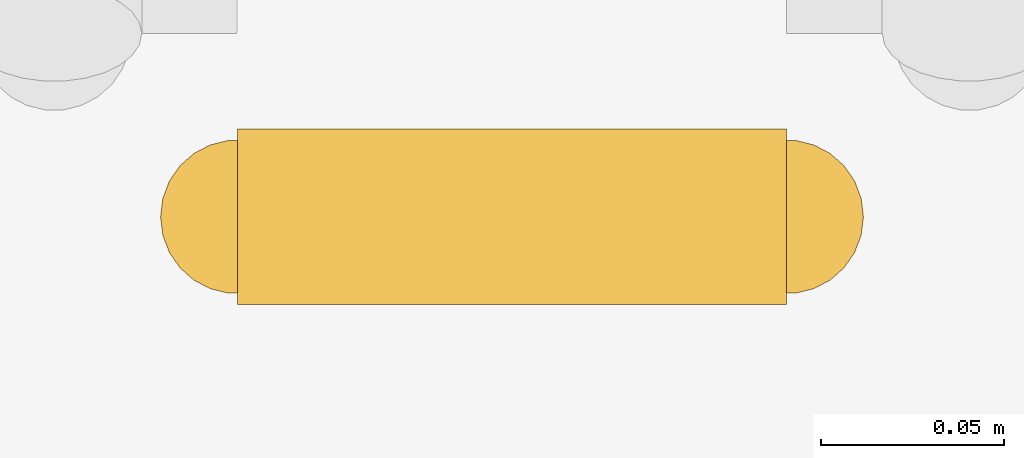
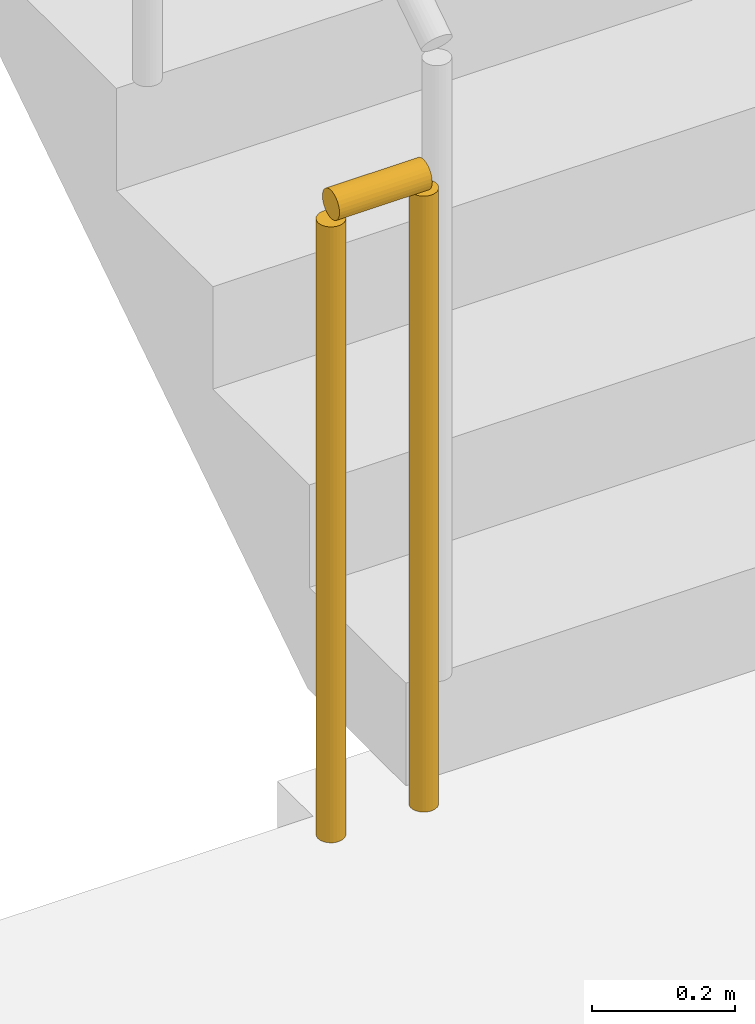
# One storey, part 15 of 20: 1 railing.
"""IFC4 building model written with IfcOpenShell, lengths in metres."""

from ifc_helpers import new_model, si_unit, direction, frame, origin, origin_2d, place, context, subcontext, project, spatial, circle, extrude, material, type_object, element, save


model = new_model("IFC4")

# Units and contexts
model_context = context("Model", 3, precision=1e-05, world=origin(), true_north=direction((0.0, 1.0)))
body_context = subcontext(model_context, "Body", "Model", "MODEL_VIEW")
ifc_project = project(units=[si_unit("LENGTHUNIT", "METRE"), si_unit("AREAUNIT", "SQUARE_METRE"), si_unit("VOLUMEUNIT", "CUBIC_METRE"), si_unit("PLANEANGLEUNIT", "RADIAN"), si_unit("MASSUNIT", "GRAM", prefix="KILO")], contexts=[model_context])

# Site, building, storey
site_placement = place(None, origin())
site = spatial("IfcSite", under=ifc_project, at=site_placement, CompositionType="ELEMENT")
building_placement = place(site_placement, origin())
building = spatial("IfcBuilding", under=site, at=building_placement, Name="Saffron Iwan Residences", CompositionType="ELEMENT")
storey_placement = place(building_placement, frame((0.0, 0.0, 171.0)))
storey = spatial("IfcBuildingStorey", under=building, at=storey_placement, Name="L45", CompositionType="ELEMENT", Elevation=171.0)

# Railing
ifc_material = material(Name="Steel S355", Category="steel")
railing_type = type_object("IfcRailingType", Name="Stair guard 1100", PredefinedType="GUARDRAIL", material=ifc_material)
railing_placement = place(storey_placement, frame((31.25, 67.800048828125, 0.0)))
element("IfcRailing", 1, at=railing_placement, inside=storey, type_object=railing_type, Name="L45 ST-W stair guard 2", PredefinedType="GUARDRAIL", context=body_context, shape_type="SweptSolid", body=[
    extrude(circle(Radius=0.02392578125, at=origin_2d()), frame((0.0, 0.0, 1.076171875), z_axis=(-1.0, 0.0, 0.0), x_axis=(0.0, -1.0, 0.0)), (0.0, 0.0, 1.0), 0.14990234375),
    extrude(circle(Radius=0.02099609375, at=origin_2d()), origin(), (0.0, 0.0, 1.0), 1.052001953125),
    extrude(circle(Radius=0.02099609375, at=origin_2d()), frame((-0.14990234375, 0.0, 0.0)), (0.0, 0.0, 1.0), 1.052001953125),
])

save(model, "model.ifc")
